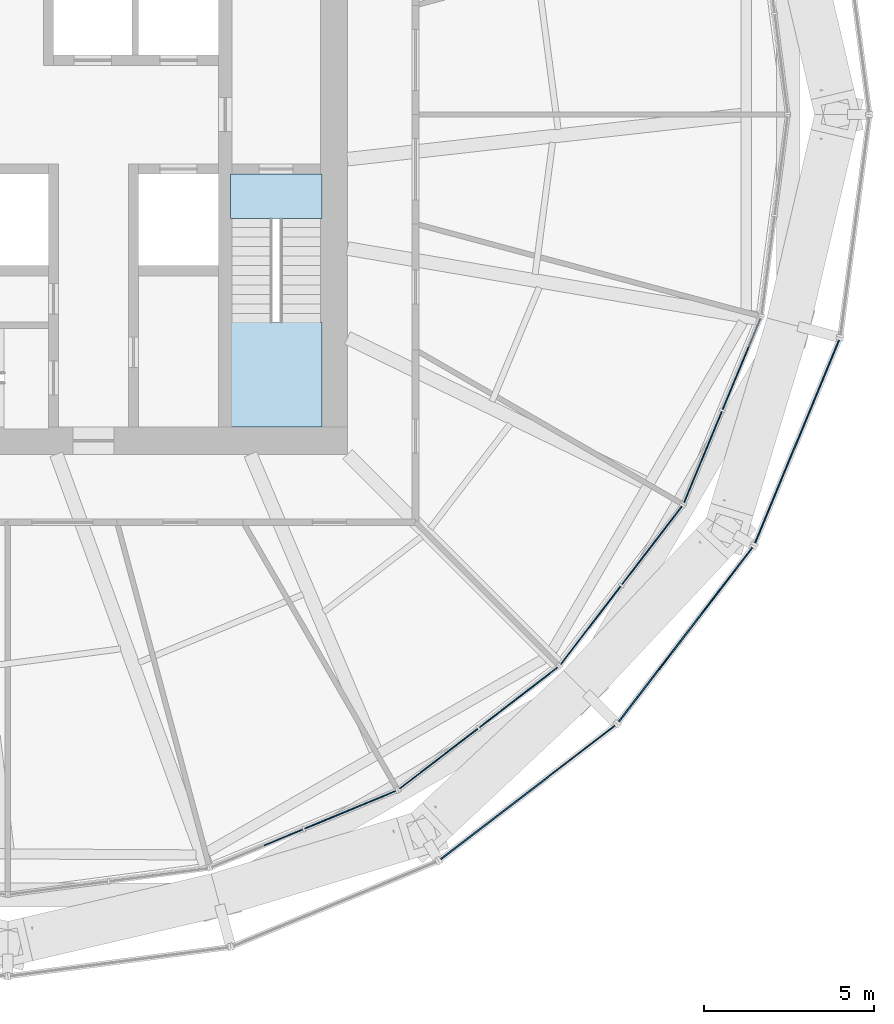
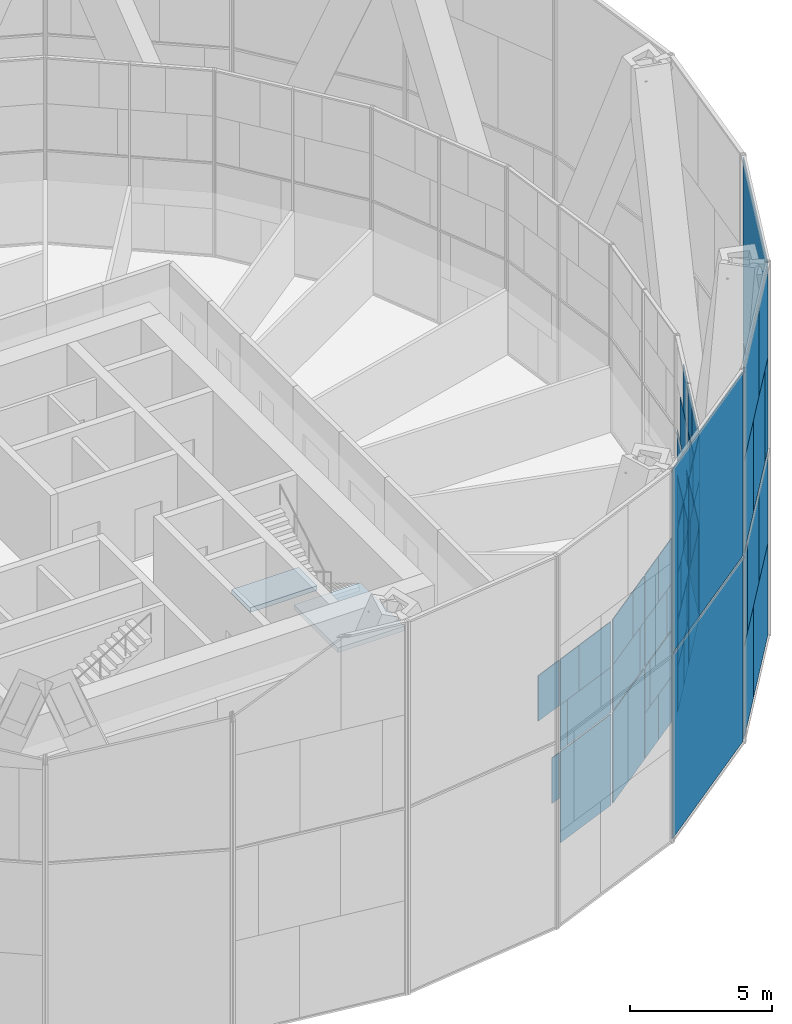
# One storey, part 14 of 22: 58 plates, 2 slabs, 8 elements without a shape of their own.
"""IFC4 building model written with IfcOpenShell, lengths in metres."""

from ifc_helpers import new_model, si_unit, direction, frame, origin, origin_2d, place, context, subcontext, project, spatial, polyline, rectangle, outline, extrude, material, layer, layer_set, type_object, element, aggregate, save


model = new_model("IFC4")

# Units and contexts
model_context = context("Model", 3, precision=1e-05, world=origin(), true_north=direction((0.0, 1.0)))
body_context = subcontext(model_context, "Body", "Model", "MODEL_VIEW")
ifc_project = project(units=[si_unit("LENGTHUNIT", "METRE"), si_unit("AREAUNIT", "SQUARE_METRE"), si_unit("VOLUMEUNIT", "CUBIC_METRE"), si_unit("PLANEANGLEUNIT", "RADIAN"), si_unit("MASSUNIT", "GRAM", prefix="KILO")], contexts=[model_context])

# Site, building, storey
site_placement = place(None, origin())
site = spatial("IfcSite", under=ifc_project, at=site_placement, CompositionType="ELEMENT")
building_placement = place(site_placement, origin())
building = spatial("IfcBuilding", under=site, at=building_placement, Name="Golbaran Civic Tower", CompositionType="ELEMENT")
storey_placement = place(building_placement, frame((0.0, 0.0, 37.0)))
storey = spatial("IfcBuildingStorey", under=building, at=storey_placement, Name="L08", CompositionType="ELEMENT", Elevation=37.0)

# Curtain wall, plates
ifc_material_1 = material(Name="Aluminium and glass", Category="aluminium")
curtain_wall_type_1 = type_object("IfcCurtainWallType", Name="INNER SKIN CURTAIN WALL", PredefinedType="NOTDEFINED", material=ifc_material_1)
curtain_wall_1_placement = place(storey_placement, origin())
curtain_wall_1 = element("IfcCurtainWall", 1, at=curtain_wall_1_placement, inside=storey, type_object=curtain_wall_type_1, Name="Inner skin L08 facet 20 CW1", ObjectType="INNER SKIN", PredefinedType="USERDEFINED")
ifc_material_2 = material(Name="Clear insulating glass", Category="glass")
ifc_layer_1 = layer(ifc_material_2, 0.031982421875, Name="Clear insulating glass")
ifc_layer_set_1 = layer_set([ifc_layer_1], Name="Clear insulating glass")
plate_type_1 = type_object("IfcPlateType", Name="INNER SKIN CURTAIN WALL GLAZED PANEL", PredefinedType="CURTAIN_PANEL", material=ifc_layer_set_1)
plate_1_placement = place(storey_placement, frame((8.481689453125, -21.126953125, 2.016357421875), z_axis=(0.0, 0.0, 1.0), x_axis=(0.923879532511, 0.382683432365, 0.0)))
plate_1 = element("IfcPlate", 2, at=plate_1_placement, type_object=plate_type_1, Name="CW1 panel 1.1 part 4", PredefinedType="CURTAIN_PANEL", context=body_context, shape_type="SweptSolid", body=[
    extrude(rectangle(XDim=0.4326171875, YDim=0.031982421875, at=origin_2d()), origin(), (0.0, 0.0, 1.0), 1.951171875),
])
plate_2_placement = place(storey_placement, frame((10.0810546875, -20.464599609375, 0.06494140625), z_axis=(0.0, 0.0, 1.0), x_axis=(0.923879532511, 0.382683432365, 0.0)))
plate_2 = element("IfcPlate", 3, at=plate_2_placement, type_object=plate_type_1, Name="CW1 panel 2.1", PredefinedType="CURTAIN_PANEL", context=body_context, shape_type="SweptSolid", body=[
    extrude(rectangle(XDim=2.8994140625, YDim=0.031982421875, at=origin_2d()), origin(), (0.0, 0.0, 1.0), 3.902587890625),
])
plate_3_placement = place(storey_placement, frame((10.266357421875, -20.3876953125, 4.032470703125), z_axis=(0.0, 0.0, 1.0), x_axis=(0.923879532511, 0.382683432365, 0.0)))
plate_3 = element("IfcPlate", 4, at=plate_3_placement, type_object=plate_type_1, Name="CW1 panel 2.2 part 2", PredefinedType="CURTAIN_PANEL", context=body_context, shape_type="SweptSolid", body=[
    extrude(rectangle(XDim=2.49853515625, YDim=0.031982421875, at=origin_2d()), origin(), (0.0, 0.0, 1.0), 1.951171875),
])
plate_4_placement = place(storey_placement, frame((10.572021484375, -20.260986328125, 5.98388671875), z_axis=(0.0, 0.0, 1.0), x_axis=(0.923879532511, 0.382683432365, 0.0)))
plate_4 = element("IfcPlate", 5, at=plate_4_placement, type_object=plate_type_1, Name="CW1 panel 2.2 part 4", PredefinedType="CURTAIN_PANEL", context=body_context, shape_type="SweptSolid", body=[
    extrude(rectangle(XDim=1.83642578125, YDim=0.031982421875, at=origin_2d()), origin(), (0.0, 0.0, 1.0), 1.951171875),
])

curtain_wall_2_placement = place(storey_placement, origin())
curtain_wall_2 = element("IfcCurtainWall", 6, at=curtain_wall_2_placement, inside=storey, type_object=curtain_wall_type_1, Name="Inner skin L08 facet 21 CW1", ObjectType="INNER SKIN", PredefinedType="USERDEFINED")
plate_5_placement = place(storey_placement, frame((12.68212890625, -18.962646484375, 0.06494140625), z_axis=(0.0, 0.0, 1.0), x_axis=(0.793353340344, 0.608761428939, 0.0)))
plate_5 = element("IfcPlate", 7, at=plate_5_placement, type_object=plate_type_1, Name="CW1 panel 1.1", PredefinedType="CURTAIN_PANEL", context=body_context, shape_type="SweptSolid", body=[
    extrude(rectangle(XDim=2.8994140625, YDim=0.031982421875, at=origin_2d()), origin(), (0.0, 0.0, 1.0), 3.902587890625),
])
plate_6_placement = place(storey_placement, frame((12.52294921875, -19.0849609375, 4.032470703125), z_axis=(0.0, 0.0, 1.0), x_axis=(0.793353340344, 0.608761428939, 0.0)))
plate_6 = element("IfcPlate", 8, at=plate_6_placement, type_object=plate_type_1, Name="CW1 panel 1.2 part 1", PredefinedType="CURTAIN_PANEL", context=body_context, shape_type="SweptSolid", body=[
    extrude(rectangle(XDim=2.498046875, YDim=0.031982421875, at=origin_2d()), origin(), (0.0, 0.0, 1.0), 1.951171875),
])
plate_7_placement = place(storey_placement, frame((12.2607421875, -19.2861328125, 5.98388671875), z_axis=(0.0, 0.0, 1.0), x_axis=(0.793353340344, 0.608761428939, 0.0)))
plate_7 = element("IfcPlate", 9, at=plate_7_placement, type_object=plate_type_1, Name="CW1 panel 1.2 part 3", PredefinedType="CURTAIN_PANEL", context=body_context, shape_type="SweptSolid", body=[
    extrude(rectangle(XDim=1.8369140625, YDim=0.031982421875, at=origin_2d()), origin(), (0.0, 0.0, 1.0), 1.951171875),
])
plate_8_placement = place(storey_placement, frame((14.360107421875, -17.67529296875, 0.06494140625), z_axis=(0.0, 0.0, 1.0), x_axis=(0.793353340344, 0.608761428939, 0.0)))
plate_8 = element("IfcPlate", 10, at=plate_8_placement, type_object=plate_type_1, Name="CW1 panel 2.1 part 1", PredefinedType="CURTAIN_PANEL", context=body_context, shape_type="SweptSolid", body=[
    extrude(rectangle(XDim=1.199951171875, YDim=0.031982421875, at=origin_2d()), origin(), (0.0, 0.0, 1.0), 1.951171875),
])
plate_9_placement = place(storey_placement, frame((14.055419921875, -17.9091796875, 2.016357421875), z_axis=(0.0, 0.0, 1.0), x_axis=(0.793353340344, 0.608761428939, 0.0)))
plate_9 = element("IfcPlate", 11, at=plate_9_placement, type_object=plate_type_1, Name="CW1 panel 2.1 part 3", PredefinedType="CURTAIN_PANEL", context=body_context, shape_type="SweptSolid", body=[
    extrude(rectangle(XDim=0.431884765625, YDim=0.031982421875, at=origin_2d()), origin(), (0.0, 0.0, 1.0), 1.951171875),
])
plate_10_placement = place(storey_placement, frame((15.827392578125, -16.54931640625, 4.032470703125), z_axis=(0.0, 0.0, 1.0), x_axis=(0.793353340344, 0.608761428939, 0.0)))
plate_10 = element("IfcPlate", 12, at=plate_10_placement, type_object=plate_type_1, Name="CW1 panel 2.2 part 2", PredefinedType="CURTAIN_PANEL", context=body_context, shape_type="SweptSolid", body=[
    extrude(rectangle(XDim=0.8994140625, YDim=0.031982421875, at=origin_2d()), origin(), (0.0, 0.0, 1.0), 1.951171875),
])
plate_11_placement = place(storey_placement, frame((15.52001953125, -16.78515625, 5.98388671875), z_axis=(0.0, 0.0, 1.0), x_axis=(0.793353340344, 0.608761428939, 0.0)))
plate_11 = element("IfcPlate", 13, at=plate_11_placement, type_object=plate_type_1, Name="CW1 panel 2.2 part 4", PredefinedType="CURTAIN_PANEL", context=body_context, shape_type="SweptSolid", body=[
    extrude(rectangle(XDim=1.674560546875, YDim=0.031982421875, at=origin_2d()), origin(), (0.0, 0.0, 1.0), 1.951171875),
])

curtain_wall_3_placement = place(storey_placement, origin())
curtain_wall_3 = element("IfcCurtainWall", 14, at=curtain_wall_3_placement, inside=storey, type_object=curtain_wall_type_1, Name="Inner skin L08 facet 22 CW1", ObjectType="INNER SKIN", PredefinedType="USERDEFINED")
plate_12_placement = place(storey_placement, frame((17.675537109375, -14.35986328125, 0.06494140625), z_axis=(0.0, 0.0, 1.0), x_axis=(0.608761428939, 0.793353340344, 0.0)))
plate_12 = element("IfcPlate", 15, at=plate_12_placement, type_object=plate_type_1, Name="CW1 panel 1.1 part 2", PredefinedType="CURTAIN_PANEL", context=body_context, shape_type="SweptSolid", body=[
    extrude(rectangle(XDim=1.199462890625, YDim=0.031982421875, at=origin_2d()), origin(), (0.0, 0.0, 1.0), 1.951171875),
])
plate_13_placement = place(storey_placement, frame((17.908935546875, -14.055419921875, 2.016357421875), z_axis=(0.0, 0.0, 1.0), x_axis=(0.608761428939, 0.793353340344, 0.0)))
plate_13 = element("IfcPlate", 16, at=plate_13_placement, type_object=plate_type_1, Name="CW1 panel 1.1 part 4", PredefinedType="CURTAIN_PANEL", context=body_context, shape_type="SweptSolid", body=[
    extrude(rectangle(XDim=0.4326171875, YDim=0.031982421875, at=origin_2d()), origin(), (0.0, 0.0, 1.0), 1.951171875),
])
plate_14_placement = place(storey_placement, frame((16.54931640625, -15.827392578125, 4.032470703125), z_axis=(0.0, 0.0, 1.0), x_axis=(0.608761428939, 0.793353340344, 0.0)))
plate_14 = element("IfcPlate", 17, at=plate_14_placement, type_object=plate_type_1, Name="CW1 panel 1.2 part 1", PredefinedType="CURTAIN_PANEL", context=body_context, shape_type="SweptSolid", body=[
    extrude(rectangle(XDim=0.89990234375, YDim=0.031982421875, at=origin_2d()), origin(), (0.0, 0.0, 1.0), 1.951171875),
])
plate_15_placement = place(storey_placement, frame((16.785400390625, -15.519775390625, 5.98388671875), z_axis=(0.0, 0.0, 1.0), x_axis=(0.608761428939, 0.793353340344, 0.0)))
plate_15 = element("IfcPlate", 18, at=plate_15_placement, type_object=plate_type_1, Name="CW1 panel 1.2 part 3", PredefinedType="CURTAIN_PANEL", context=body_context, shape_type="SweptSolid", body=[
    extrude(rectangle(XDim=1.675048828125, YDim=0.031982421875, at=origin_2d()), origin(), (0.0, 0.0, 1.0), 1.951171875),
])
plate_16_placement = place(storey_placement, frame((18.962646484375, -12.68212890625, 0.06494140625), z_axis=(0.0, 0.0, 1.0), x_axis=(0.608761428939, 0.793353340344, 0.0)))
plate_16 = element("IfcPlate", 19, at=plate_16_placement, type_object=plate_type_1, Name="CW1 panel 2.1", PredefinedType="CURTAIN_PANEL", context=body_context, shape_type="SweptSolid", body=[
    extrude(rectangle(XDim=2.8994140625, YDim=0.031982421875, at=origin_2d()), origin(), (0.0, 0.0, 1.0), 3.902587890625),
])
plate_17_placement = place(storey_placement, frame((19.084716796875, -12.523193359375, 4.032470703125), z_axis=(0.0, 0.0, 1.0), x_axis=(0.608761428939, 0.793353340344, 0.0)))
plate_17 = element("IfcPlate", 20, at=plate_17_placement, type_object=plate_type_1, Name="CW1 panel 2.2 part 2", PredefinedType="CURTAIN_PANEL", context=body_context, shape_type="SweptSolid", body=[
    extrude(rectangle(XDim=2.49853515625, YDim=0.031982421875, at=origin_2d()), origin(), (0.0, 0.0, 1.0), 1.951171875),
])
plate_18_placement = place(storey_placement, frame((19.2861328125, -12.260498046875, 5.98388671875), z_axis=(0.0, 0.0, 1.0), x_axis=(0.608761428939, 0.793353340344, 0.0)))
plate_18 = element("IfcPlate", 21, at=plate_18_placement, type_object=plate_type_1, Name="CW1 panel 2.2 part 4", PredefinedType="CURTAIN_PANEL", context=body_context, shape_type="SweptSolid", body=[
    extrude(rectangle(XDim=1.83642578125, YDim=0.031982421875, at=origin_2d()), origin(), (0.0, 0.0, 1.0), 1.951171875),
])

curtain_wall_4_placement = place(storey_placement, origin())
curtain_wall_4 = element("IfcCurtainWall", 22, at=curtain_wall_4_placement, inside=storey, type_object=curtain_wall_type_1, Name="Inner skin L08 facet 23 CW1", ObjectType="INNER SKIN", PredefinedType="USERDEFINED")
plate_19_placement = place(storey_placement, frame((20.464599609375, -10.0810546875, 0.06494140625), z_axis=(0.0, 0.0, 1.0), x_axis=(0.382683432365, 0.923879532511, 0.0)))
plate_19 = element("IfcPlate", 23, at=plate_19_placement, type_object=plate_type_1, Name="CW1 panel 1.1", PredefinedType="CURTAIN_PANEL", context=body_context, shape_type="SweptSolid", body=[
    extrude(rectangle(XDim=2.8994140625, YDim=0.031982421875, at=origin_2d()), origin(), (0.0, 0.0, 1.0), 3.902587890625),
])
plate_20_placement = place(storey_placement, frame((20.3876953125, -10.2666015625, 4.032470703125), z_axis=(0.0, 0.0, 1.0), x_axis=(0.382683432365, 0.923879532511, 0.0)))
plate_20 = element("IfcPlate", 24, at=plate_20_placement, type_object=plate_type_1, Name="CW1 panel 1.2 part 1", PredefinedType="CURTAIN_PANEL", context=body_context, shape_type="SweptSolid", body=[
    extrude(rectangle(XDim=2.498046875, YDim=0.031982421875, at=origin_2d()), origin(), (0.0, 0.0, 1.0), 1.951171875),
])
plate_21_placement = place(storey_placement, frame((20.26123046875, -10.57177734375, 5.98388671875), z_axis=(0.0, 0.0, 1.0), x_axis=(0.382683432365, 0.923879532511, 0.0)))
plate_21 = element("IfcPlate", 25, at=plate_21_placement, type_object=plate_type_1, Name="CW1 panel 1.2 part 3", PredefinedType="CURTAIN_PANEL", context=body_context, shape_type="SweptSolid", body=[
    extrude(rectangle(XDim=1.8369140625, YDim=0.031982421875, at=origin_2d()), origin(), (0.0, 0.0, 1.0), 1.951171875),
])
plate_22_placement = place(storey_placement, frame((21.273681640625, -8.127197265625, 0.06494140625), z_axis=(0.0, 0.0, 1.0), x_axis=(0.382683432365, 0.923879532511, 0.0)))
plate_22 = element("IfcPlate", 26, at=plate_22_placement, type_object=plate_type_1, Name="CW1 panel 2.1 part 1", PredefinedType="CURTAIN_PANEL", context=body_context, shape_type="SweptSolid", body=[
    extrude(rectangle(XDim=1.199951171875, YDim=0.031982421875, at=origin_2d()), origin(), (0.0, 0.0, 1.0), 1.951171875),
])
plate_23_placement = place(storey_placement, frame((21.126708984375, -8.48193359375, 2.016357421875), z_axis=(0.0, 0.0, 1.0), x_axis=(0.382683432365, 0.923879532511, 0.0)))
plate_23 = element("IfcPlate", 27, at=plate_23_placement, type_object=plate_type_1, Name="CW1 panel 2.1 part 3", PredefinedType="CURTAIN_PANEL", context=body_context, shape_type="SweptSolid", body=[
    extrude(rectangle(XDim=0.431884765625, YDim=0.031982421875, at=origin_2d()), origin(), (0.0, 0.0, 1.0), 1.951171875),
])

# Plate
ifc_material_3 = material(Name="Aluminium faced opaque infill panel", Category="aluminium")
ifc_layer_2 = layer(ifc_material_3, 0.031982421875, Name="Aluminium faced opaque infill panel")
ifc_layer_set_2 = layer_set([ifc_layer_2], Name="Aluminium faced opaque infill panel")
plate_type_2 = type_object("IfcPlateType", Name="INNER SKIN CURTAIN WALL OPAQUE INFILL PANEL", PredefinedType="CURTAIN_PANEL", material=ifc_layer_set_2)
plate_24_placement = place(storey_placement, frame((8.115966796875, -21.278564453125, 5.98388671875), z_axis=(0.0, 0.0, 1.0), x_axis=(0.923879532511, 0.382683432365, 0.0)))
plate_24 = element("IfcPlate", 28, at=plate_24_placement, type_object=plate_type_2, Name="CW1 infill panel 1.2 part 4", PredefinedType="CURTAIN_PANEL", context=body_context, shape_type="SweptSolid", body=[
    extrude(rectangle(XDim=1.224609375, YDim=0.031982421875, at=origin_2d()), origin(), (0.0, 0.0, 1.0), 1.951171875),
])

plate_25_placement = place(storey_placement, frame((8.927001953125, -20.942626953125, 4.032470703125), z_axis=(0.0, 0.0, 1.0), x_axis=(0.923879532511, 0.382683432365, 0.0)))
plate_25 = element("IfcPlate", 29, at=plate_25_placement, type_object=plate_type_2, Name="CW1 infill panel 2.2 part 1", PredefinedType="CURTAIN_PANEL", context=body_context, shape_type="SweptSolid", body=[
    extrude(rectangle(XDim=0.40087890625, YDim=0.031982421875, at=origin_2d()), origin(), (0.0, 0.0, 1.0), 1.951171875),
])

plate_26_placement = place(storey_placement, frame((9.232666015625, -20.81591796875, 5.98388671875), z_axis=(0.0, 0.0, 1.0), x_axis=(0.923879532511, 0.382683432365, 0.0)))
plate_26 = element("IfcPlate", 30, at=plate_26_placement, type_object=plate_type_2, Name="CW1 infill panel 2.2 part 3", PredefinedType="CURTAIN_PANEL", context=body_context, shape_type="SweptSolid", body=[
    extrude(rectangle(XDim=1.06298828125, YDim=0.031982421875, at=origin_2d()), origin(), (0.0, 0.0, 1.0), 1.951171875),
])

aggregate(curtain_wall_1, [plate_1, plate_24, plate_2, plate_25, plate_3, plate_26, plate_4])

plate_27_placement = place(storey_placement, frame((13.673095703125, -18.202392578125, 4.032470703125), z_axis=(0.0, 0.0, 1.0), x_axis=(0.793353340344, 0.608761428939, 0.0)))
plate_27 = element("IfcPlate", 31, at=plate_27_placement, type_object=plate_type_2, Name="CW1 infill panel 1.2 part 2", PredefinedType="CURTAIN_PANEL", context=body_context, shape_type="SweptSolid", body=[
    extrude(rectangle(XDim=0.401611328125, YDim=0.031982421875, at=origin_2d()), origin(), (0.0, 0.0, 1.0), 1.951171875),
])

plate_28_placement = place(storey_placement, frame((13.410888671875, -18.403564453125, 5.98388671875), z_axis=(0.0, 0.0, 1.0), x_axis=(0.793353340344, 0.608761428939, 0.0)))
plate_28 = element("IfcPlate", 32, at=plate_28_placement, type_object=plate_type_2, Name="CW1 infill panel 1.2 part 4", PredefinedType="CURTAIN_PANEL", context=body_context, shape_type="SweptSolid", body=[
    extrude(rectangle(XDim=1.0625, YDim=0.031982421875, at=origin_2d()), origin(), (0.0, 0.0, 1.0), 1.951171875),
])

plate_29_placement = place(storey_placement, frame((15.51025390625, -16.792724609375, 0.06494140625), z_axis=(0.0, 0.0, 1.0), x_axis=(0.793353340344, 0.608761428939, 0.0)))
plate_29 = element("IfcPlate", 33, at=plate_29_placement, type_object=plate_type_2, Name="CW1 infill panel 2.1 part 2", PredefinedType="CURTAIN_PANEL", context=body_context, shape_type="SweptSolid", body=[
    extrude(rectangle(XDim=1.699462890625, YDim=0.031982421875, at=origin_2d()), origin(), (0.0, 0.0, 1.0), 1.951171875),
])

plate_30_placement = place(storey_placement, frame((15.20556640625, -17.026611328125, 2.016357421875), z_axis=(0.0, 0.0, 1.0), x_axis=(0.793353340344, 0.608761428939, 0.0)))
plate_30 = element("IfcPlate", 34, at=plate_30_placement, type_object=plate_type_2, Name="CW1 infill panel 2.1 part 4", PredefinedType="CURTAIN_PANEL", context=body_context, shape_type="SweptSolid", body=[
    extrude(rectangle(XDim=2.467529296875, YDim=0.031982421875, at=origin_2d()), origin(), (0.0, 0.0, 1.0), 1.951171875),
])

plate_31_placement = place(storey_placement, frame((14.67724609375, -17.431884765625, 4.032470703125), z_axis=(0.0, 0.0, 1.0), x_axis=(0.793353340344, 0.608761428939, 0.0)))
plate_31 = element("IfcPlate", 35, at=plate_31_placement, type_object=plate_type_2, Name="CW1 infill panel 2.2 part 1", PredefinedType="CURTAIN_PANEL", context=body_context, shape_type="SweptSolid", body=[
    extrude(rectangle(XDim=2.0, YDim=0.031982421875, at=origin_2d()), origin(), (0.0, 0.0, 1.0), 1.951171875),
])

plate_32_placement = place(storey_placement, frame((14.369873046875, -17.667724609375, 5.98388671875), z_axis=(0.0, 0.0, 1.0), x_axis=(0.793353340344, 0.608761428939, 0.0)))
plate_32 = element("IfcPlate", 36, at=plate_32_placement, type_object=plate_type_2, Name="CW1 infill panel 2.2 part 3", PredefinedType="CURTAIN_PANEL", context=body_context, shape_type="SweptSolid", body=[
    extrude(rectangle(XDim=1.22509765625, YDim=0.031982421875, at=origin_2d()), origin(), (0.0, 0.0, 1.0), 1.951171875),
])

aggregate(curtain_wall_2, [plate_5, plate_6, plate_27, plate_7, plate_28, plate_8, plate_29, plate_9, plate_30, plate_31, plate_10, plate_32, plate_11])

plate_33_placement = place(storey_placement, frame((16.79296875, -15.510009765625, 0.06494140625), z_axis=(0.0, 0.0, 1.0), x_axis=(0.608761428939, 0.793353340344, 0.0)))
plate_33 = element("IfcPlate", 37, at=plate_33_placement, type_object=plate_type_2, Name="CW1 infill panel 1.1 part 1", PredefinedType="CURTAIN_PANEL", context=body_context, shape_type="SweptSolid", body=[
    extrude(rectangle(XDim=1.699951171875, YDim=0.031982421875, at=origin_2d()), origin(), (0.0, 0.0, 1.0), 1.951171875),
])

plate_34_placement = place(storey_placement, frame((17.0263671875, -15.205810546875, 2.016357421875), z_axis=(0.0, 0.0, 1.0), x_axis=(0.608761428939, 0.793353340344, 0.0)))
plate_34 = element("IfcPlate", 38, at=plate_34_placement, type_object=plate_type_2, Name="CW1 infill panel 1.1 part 3", PredefinedType="CURTAIN_PANEL", context=body_context, shape_type="SweptSolid", body=[
    extrude(rectangle(XDim=2.467041015625, YDim=0.031982421875, at=origin_2d()), origin(), (0.0, 0.0, 1.0), 1.951171875),
])

plate_35_placement = place(storey_placement, frame((17.431884765625, -14.67724609375, 4.032470703125), z_axis=(0.0, 0.0, 1.0), x_axis=(0.608761428939, 0.793353340344, 0.0)))
plate_35 = element("IfcPlate", 39, at=plate_35_placement, type_object=plate_type_2, Name="CW1 infill panel 1.2 part 2", PredefinedType="CURTAIN_PANEL", context=body_context, shape_type="SweptSolid", body=[
    extrude(rectangle(XDim=1.99951171875, YDim=0.031982421875, at=origin_2d()), origin(), (0.0, 0.0, 1.0), 1.951171875),
])

plate_36_placement = place(storey_placement, frame((17.667724609375, -14.36962890625, 5.98388671875), z_axis=(0.0, 0.0, 1.0), x_axis=(0.608761428939, 0.793353340344, 0.0)))
plate_36 = element("IfcPlate", 40, at=plate_36_placement, type_object=plate_type_2, Name="CW1 infill panel 1.2 part 4", PredefinedType="CURTAIN_PANEL", context=body_context, shape_type="SweptSolid", body=[
    extrude(rectangle(XDim=1.224609375, YDim=0.031982421875, at=origin_2d()), origin(), (0.0, 0.0, 1.0), 1.951171875),
])

plate_37_placement = place(storey_placement, frame((18.2021484375, -13.67333984375, 4.032470703125), z_axis=(0.0, 0.0, 1.0), x_axis=(0.608761428939, 0.793353340344, 0.0)))
plate_37 = element("IfcPlate", 41, at=plate_37_placement, type_object=plate_type_2, Name="CW1 infill panel 2.2 part 1", PredefinedType="CURTAIN_PANEL", context=body_context, shape_type="SweptSolid", body=[
    extrude(rectangle(XDim=0.40087890625, YDim=0.031982421875, at=origin_2d()), origin(), (0.0, 0.0, 1.0), 1.951171875),
])

plate_38_placement = place(storey_placement, frame((18.403564453125, -13.41064453125, 5.98388671875), z_axis=(0.0, 0.0, 1.0), x_axis=(0.608761428939, 0.793353340344, 0.0)))
plate_38 = element("IfcPlate", 42, at=plate_38_placement, type_object=plate_type_2, Name="CW1 infill panel 2.2 part 3", PredefinedType="CURTAIN_PANEL", context=body_context, shape_type="SweptSolid", body=[
    extrude(rectangle(XDim=1.06298828125, YDim=0.031982421875, at=origin_2d()), origin(), (0.0, 0.0, 1.0), 1.951171875),
])

aggregate(curtain_wall_3, [plate_33, plate_12, plate_34, plate_13, plate_14, plate_35, plate_15, plate_36, plate_16, plate_37, plate_17, plate_38, plate_18])

plate_39_placement = place(storey_placement, frame((20.9423828125, -8.927001953125, 4.032470703125), z_axis=(0.0, 0.0, 1.0), x_axis=(0.382683432365, 0.923879532511, 0.0)))
plate_39 = element("IfcPlate", 43, at=plate_39_placement, type_object=plate_type_2, Name="CW1 infill panel 1.2 part 2", PredefinedType="CURTAIN_PANEL", context=body_context, shape_type="SweptSolid", body=[
    extrude(rectangle(XDim=0.401611328125, YDim=0.031982421875, at=origin_2d()), origin(), (0.0, 0.0, 1.0), 1.951171875),
])

plate_40_placement = place(storey_placement, frame((20.81591796875, -9.232421875, 5.98388671875), z_axis=(0.0, 0.0, 1.0), x_axis=(0.382683432365, 0.923879532511, 0.0)))
plate_40 = element("IfcPlate", 44, at=plate_40_placement, type_object=plate_type_2, Name="CW1 infill panel 1.2 part 4", PredefinedType="CURTAIN_PANEL", context=body_context, shape_type="SweptSolid", body=[
    extrude(rectangle(XDim=1.0625, YDim=0.031982421875, at=origin_2d()), origin(), (0.0, 0.0, 1.0), 1.951171875),
])

plate_41_placement = place(storey_placement, frame((21.82861328125, -6.787841796875, 0.06494140625), z_axis=(0.0, 0.0, 1.0), x_axis=(0.382683432365, 0.923879532511, 0.0)))
plate_41 = element("IfcPlate", 45, at=plate_41_placement, type_object=plate_type_2, Name="CW1 infill panel 2.1 part 2", PredefinedType="CURTAIN_PANEL", context=body_context, shape_type="SweptSolid", body=[
    extrude(rectangle(XDim=1.699462890625, YDim=0.031982421875, at=origin_2d()), origin(), (0.0, 0.0, 1.0), 1.951171875),
])

plate_42_placement = place(storey_placement, frame((21.681640625, -7.142578125, 2.016357421875), z_axis=(0.0, 0.0, 1.0), x_axis=(0.382683432365, 0.923879532511, 0.0)))
plate_42 = element("IfcPlate", 46, at=plate_42_placement, type_object=plate_type_2, Name="CW1 infill panel 2.1 part 4", PredefinedType="CURTAIN_PANEL", context=body_context, shape_type="SweptSolid", body=[
    extrude(rectangle(XDim=2.467529296875, YDim=0.031982421875, at=origin_2d()), origin(), (0.0, 0.0, 1.0), 1.951171875),
])

plate_43_placement = place(storey_placement, frame((21.4267578125, -7.7578125, 4.032470703125), z_axis=(0.0, 0.0, 1.0), x_axis=(0.382683432365, 0.923879532511, 0.0)))
plate_43 = element("IfcPlate", 47, at=plate_43_placement, type_object=plate_type_2, Name="CW1 infill panel 2.2 part 1", PredefinedType="CURTAIN_PANEL", context=body_context, shape_type="SweptSolid", body=[
    extrude(rectangle(XDim=2.0, YDim=0.031982421875, at=origin_2d()), origin(), (0.0, 0.0, 1.0), 1.951171875),
])

plate_44_placement = place(storey_placement, frame((21.278564453125, -8.11572265625, 5.98388671875), z_axis=(0.0, 0.0, 1.0), x_axis=(0.382683432365, 0.923879532511, 0.0)))
plate_44 = element("IfcPlate", 48, at=plate_44_placement, type_object=plate_type_2, Name="CW1 infill panel 2.2 part 3", PredefinedType="CURTAIN_PANEL", context=body_context, shape_type="SweptSolid", body=[
    extrude(rectangle(XDim=1.22509765625, YDim=0.031982421875, at=origin_2d()), origin(), (0.0, 0.0, 1.0), 1.951171875),
])

aggregate(curtain_wall_4, [plate_19, plate_20, plate_39, plate_21, plate_40, plate_22, plate_41, plate_23, plate_42, plate_43, plate_44])

# Curtain wall, plates
curtain_wall_type_2 = type_object("IfcCurtainWallType", Name="OUTER SKIN TERRACOTTA SCREEN", PredefinedType="NOTDEFINED", material=ifc_material_1)
curtain_wall_5_placement = place(storey_placement, origin())
curtain_wall_5 = element("IfcCurtainWall", 49, at=curtain_wall_5_placement, inside=storey, type_object=curtain_wall_type_2, Name="Outer skin L08 facet 22 CW3", ObjectType="OUTER SKIN", PredefinedType="USERDEFINED")
ifc_material_4 = material(Name="Clear laminated glass", Category="glass")
ifc_layer_3 = layer(ifc_material_4, 0.0400390625, Name="Clear laminated glass")
ifc_layer_set_3 = layer_set([ifc_layer_3], Name="Clear laminated glass")
plate_type_3 = type_object("IfcPlateType", Name="OUTER SKIN CLEAR GLASS PANEL", PredefinedType="CURTAIN_PANEL", material=ifc_layer_set_3)
plate_45_placement = place(storey_placement, frame((20.700439453125, -14.334228515625, -0.6298828125), z_axis=(0.0, 0.0, 1.0), x_axis=(0.608761428898, 0.793353340376, 0.0)))
plate_45 = element("IfcPlate", 50, at=plate_45_placement, type_object=plate_type_3, Name="CW3 panel 1.1 part 2", PredefinedType="CURTAIN_PANEL", context=body_context, shape_type="SweptSolid", body=[
    extrude(rectangle(XDim=4.0029296875, YDim=0.0400390625, at=origin_2d()), origin(), (0.0, 0.0, 1.0), 3.93994140625),
])
plate_46_placement = place(storey_placement, frame((18.26123046875, -17.51318359375, 3.31005859375), z_axis=(0.0, 0.0, 1.0), x_axis=(0.608761428898, 0.793353340376, 0.0)))
plate_46 = element("IfcPlate", 51, at=plate_46_placement, type_object=plate_type_3, Name="CW3 panel 1.1 part 3", PredefinedType="CURTAIN_PANEL", context=body_context, shape_type="SweptSolid", body=[
    extrude(rectangle(XDim=0.906982421875, YDim=0.0400390625, at=origin_2d()), origin(), (0.0, 0.0, 1.0), 3.93994140625),
])
plate_47_placement = place(storey_placement, frame((21.176513671875, -13.7138671875, 3.31005859375), z_axis=(0.0, 0.0, 1.0), x_axis=(0.608761428898, 0.793353340376, 0.0)))
plate_47 = element("IfcPlate", 52, at=plate_47_placement, type_object=plate_type_3, Name="CW3 panel 1.1 part 5", PredefinedType="CURTAIN_PANEL", context=body_context, shape_type="SweptSolid", body=[
    extrude(rectangle(XDim=2.43896484375, YDim=0.0400390625, at=origin_2d()), origin(), (0.0, 0.0, 1.0), 3.93994140625),
])
plate_48_placement = place(storey_placement, frame((18.742431640625, -16.885986328125, 7.330078125), z_axis=(0.0, 0.0, 1.0), x_axis=(0.608761428898, 0.793353340376, 0.0)))
plate_48 = element("IfcPlate", 53, at=plate_48_placement, type_object=plate_type_3, Name="CW3 panel 1.2 part 1", PredefinedType="CURTAIN_PANEL", context=body_context, shape_type="SweptSolid", body=[
    extrude(rectangle(XDim=2.488037109375, YDim=0.0400390625, at=origin_2d()), origin(), (0.0, 0.0, 1.0), 3.93994140625),
])
plate_49_placement = place(storey_placement, frame((21.66259765625, -13.080322265625, 7.330078125), z_axis=(0.0, 0.0, 1.0), x_axis=(0.608761428898, 0.793353340376, 0.0)))
plate_49 = element("IfcPlate", 54, at=plate_49_placement, type_object=plate_type_3, Name="CW3 panel 1.2 part 3", PredefinedType="CURTAIN_PANEL", context=body_context, shape_type="SweptSolid", body=[
    extrude(rectangle(XDim=0.841796875, YDim=0.0400390625, at=origin_2d()), origin(), (0.0, 0.0, 1.0), 3.93994140625),
])
plate_50_placement = place(storey_placement, frame((19.2138671875, -16.271728515625, 11.27001953125), z_axis=(0.0, 0.0, 1.0), x_axis=(0.608761428898, 0.793353340376, 0.0)))
plate_50 = element("IfcPlate", 55, at=plate_50_placement, type_object=plate_type_3, Name="CW3 panel 1.2 part 4", PredefinedType="CURTAIN_PANEL", context=body_context, shape_type="SweptSolid", body=[
    extrude(rectangle(XDim=4.037109375, YDim=0.0400390625, at=origin_2d()), origin(), (0.0, 0.0, 1.0), 3.93994140625),
])
ifc_material_5 = material(Name="Terracotta baguette screen", Category="masonry")
ifc_layer_4 = layer(ifc_material_5, 0.0400390625, Name="Terracotta baguette screen")
ifc_layer_set_4 = layer_set([ifc_layer_4], Name="Terracotta baguette screen")
plate_type_4 = type_object("IfcPlateType", Name="OUTER SKIN TERRACOTTA INFILL PANEL", PredefinedType="CURTAIN_PANEL", material=ifc_layer_set_4)
plate_51_placement = place(storey_placement, frame((18.733642578125, -16.8974609375, -0.6298828125), z_axis=(0.0, 0.0, 1.0), x_axis=(0.608761428898, 0.793353340376, 0.0)))
plate_51 = element("IfcPlate", 56, at=plate_51_placement, type_object=plate_type_4, Name="CW3 infill panel 1.1 part 1", PredefinedType="CURTAIN_PANEL", context=body_context, shape_type="SweptSolid", body=[
    extrude(rectangle(XDim=2.458984375, YDim=0.0400390625, at=origin_2d()), origin(), (0.0, 0.0, 1.0), 3.93994140625),
])
plate_52_placement = place(storey_placement, frame((19.48583984375, -15.91748046875, 3.31005859375), z_axis=(0.0, 0.0, 1.0), x_axis=(0.608761428898, 0.793353340376, 0.0)))
plate_52 = element("IfcPlate", 57, at=plate_52_placement, type_object=plate_type_4, Name="CW3 infill panel 1.1 part 4", PredefinedType="CURTAIN_PANEL", context=body_context, shape_type="SweptSolid", body=[
    extrude(rectangle(XDim=3.115966796875, YDim=0.0400390625, at=origin_2d()), origin(), (0.0, 0.0, 1.0), 3.93994140625),
])
plate_53_placement = place(storey_placement, frame((20.453125, -14.65673828125, 7.330078125), z_axis=(0.0, 0.0, 1.0), x_axis=(0.608761428898, 0.793353340376, 0.0)))
plate_53 = element("IfcPlate", 58, at=plate_53_placement, type_object=plate_type_4, Name="CW3 infill panel 1.2 part 2", PredefinedType="CURTAIN_PANEL", context=body_context, shape_type="SweptSolid", body=[
    extrude(rectangle(XDim=3.132080078125, YDim=0.0400390625, at=origin_2d()), origin(), (0.0, 0.0, 1.0), 3.93994140625),
])
plate_54_placement = place(storey_placement, frame((21.180908203125, -13.708251953125, 11.27001953125), z_axis=(0.0, 0.0, 1.0), x_axis=(0.608761428898, 0.793353340376, 0.0)))
plate_54 = element("IfcPlate", 59, at=plate_54_placement, type_object=plate_type_4, Name="CW3 infill panel 1.2 part 5", PredefinedType="CURTAIN_PANEL", context=body_context, shape_type="SweptSolid", body=[
    extrude(rectangle(XDim=2.4248046875, YDim=0.0400390625, at=origin_2d()), origin(), (0.0, 0.0, 1.0), 3.93994140625),
])
aggregate(curtain_wall_5, [plate_51, plate_45, plate_46, plate_52, plate_47, plate_48, plate_53, plate_49, plate_50, plate_54])

curtain_wall_6_placement = place(storey_placement, origin())
curtain_wall_6 = element("IfcCurtainWall", 60, at=curtain_wall_6_placement, inside=storey, type_object=curtain_wall_type_2, Name="Outer skin L08 facet 21 CW3", ObjectType="OUTER SKIN", PredefinedType="USERDEFINED")
ifc_layer_5 = layer(ifc_material_5, 0.0400390625, Name="Terracotta baguette screen")
ifc_layer_set_5 = layer_set([ifc_layer_5], Name="Terracotta baguette screen")
plate_type_5 = type_object("IfcPlateType", Name="OUTER SKIN TERRACOTTA SCREEN PANEL", PredefinedType="CURTAIN_PANEL", material=ifc_layer_set_5)
plate_55_placement = place(storey_placement, frame((15.309814453125, -19.9521484375, -0.6298828125), z_axis=(0.0, 0.0, 1.0), x_axis=(0.793353340376, 0.608761428898, 0.0)))
plate_55 = element("IfcPlate", 61, at=plate_55_placement, type_object=plate_type_5, Name="CW3 terracotta screen panel 1.1", PredefinedType="CURTAIN_PANEL", context=body_context, shape_type="SweptSolid", body=[
    extrude(rectangle(XDim=6.4619140625, YDim=0.0400390625, at=origin_2d()), origin(), (0.0, 0.0, 1.0), 7.8798828125),
])
plate_56_placement = place(storey_placement, frame((15.309814453125, -19.9521484375, 7.330078125), z_axis=(0.0, 0.0, 1.0), x_axis=(0.793353340376, 0.608761428898, 0.0)))
plate_56 = element("IfcPlate", 62, at=plate_56_placement, type_object=plate_type_5, Name="CW3 terracotta screen panel 1.2", PredefinedType="CURTAIN_PANEL", context=body_context, shape_type="SweptSolid", body=[
    extrude(rectangle(XDim=6.4619140625, YDim=0.0400390625, at=origin_2d()), origin(), (0.0, 0.0, 1.0), 7.8798828125),
])
aggregate(curtain_wall_6, [plate_55, plate_56])

curtain_wall_7_placement = place(storey_placement, origin())
curtain_wall_7 = element("IfcCurtainWall", 63, at=curtain_wall_7_placement, inside=storey, type_object=curtain_wall_type_2, Name="Outer skin L08 facet 23 CW3", ObjectType="OUTER SKIN", PredefinedType="USERDEFINED")
plate_57_placement = place(storey_placement, frame((23.234619140625, -9.6240234375, -0.6298828125), z_axis=(0.0, 0.0, 1.0), x_axis=(0.382683432462, 0.923879532471, 0.0)))
plate_57 = element("IfcPlate", 64, at=plate_57_placement, type_object=plate_type_5, Name="CW3 terracotta screen panel 1.1", PredefinedType="CURTAIN_PANEL", context=body_context, shape_type="SweptSolid", body=[
    extrude(rectangle(XDim=6.4619140625, YDim=0.0400390625, at=origin_2d()), origin(), (0.0, 0.0, 1.0), 7.8798828125),
])
plate_58_placement = place(storey_placement, frame((23.234619140625, -9.6240234375, 7.330078125), z_axis=(0.0, 0.0, 1.0), x_axis=(0.382683432462, 0.923879532471, 0.0)))
plate_58 = element("IfcPlate", 65, at=plate_58_placement, type_object=plate_type_5, Name="CW3 terracotta screen panel 1.2", PredefinedType="CURTAIN_PANEL", context=body_context, shape_type="SweptSolid", body=[
    extrude(rectangle(XDim=6.4619140625, YDim=0.0400390625, at=origin_2d()), origin(), (0.0, 0.0, 1.0), 7.8798828125),
])
aggregate(curtain_wall_7, [plate_57, plate_58])

# Stair, slab
ifc_material_6 = material(Name="Concrete C35/45", Category="concrete")
stair_type = type_object("IfcStairType", Name="EXIT STAIR 2600 x 7450, 4000 RISE", PredefinedType="HALF_TURN_STAIR", material=ifc_material_6)
stair_placement = place(storey_placement, origin())
stair = element("IfcStair", 66, at=stair_placement, inside=storey, type_object=stair_type, Name="Stair S2 L08", PredefinedType="HALF_TURN_STAIR")
ifc_layer_6 = layer(ifc_material_6, 0.199951171875, Name="Concrete C35/45")
ifc_layer_set_6 = layer_set([ifc_layer_6], Name="Concrete C35/45")
slab_type = type_object("IfcSlabType", Name="STAIR LANDING 200", PredefinedType="LANDING", material=ifc_layer_set_6)
slab_1_placement = place(storey_placement, frame((0.0, 0.0, 1.800048828125)))
slab_1 = element("IfcSlab", 67, at=slab_1_placement, type_object=slab_type, Name="ST26074-40 landing 1", PredefinedType="LANDING", context=body_context, shape_type="SweptSolid", body=[
    extrude(outline(polyline([(9.25, -6.125), (9.25, -9.199951171875), (6.550048828125, -9.199951171875), (6.550048828125, -6.125), (9.25, -6.125)])), origin(), (0.0, 0.0, 1.0), 0.199951171875),
])
aggregate(stair, [slab_1])

# Slab
slab_2_placement = place(storey_placement, frame((0.0, 0.0, -0.199951171875)))
element("IfcSlab", 68, at=slab_2_placement, inside=storey, type_object=slab_type, Name="Stair S2 floor landing L08", PredefinedType="LANDING", context=body_context, shape_type="SweptSolid", body=[
    extrude(outline(polyline([(9.25, -1.75), (9.25, -3.054931640625), (6.550048828125, -3.054931640625), (6.550048828125, -1.75), (9.25, -1.75)])), origin(), (0.0, 0.0, 1.0), 0.199951171875),
])

save(model, "model.ifc")
